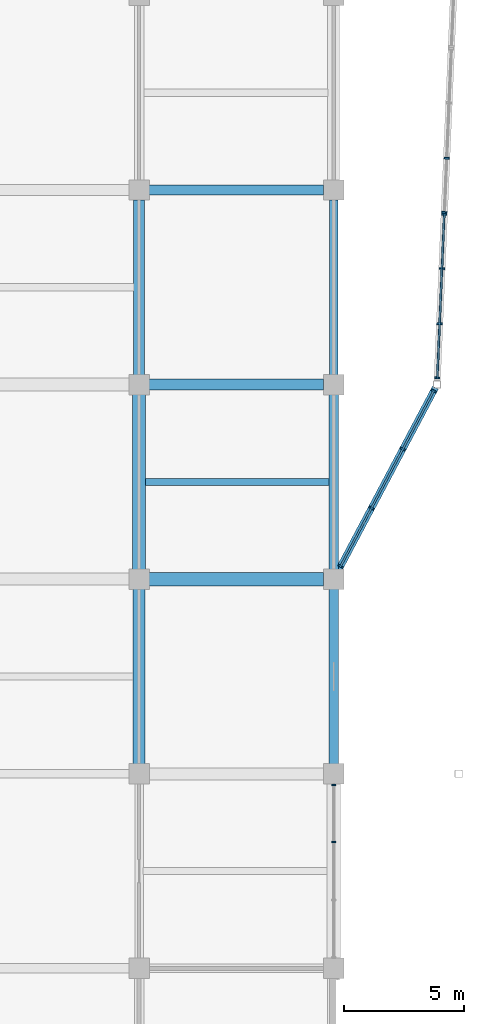
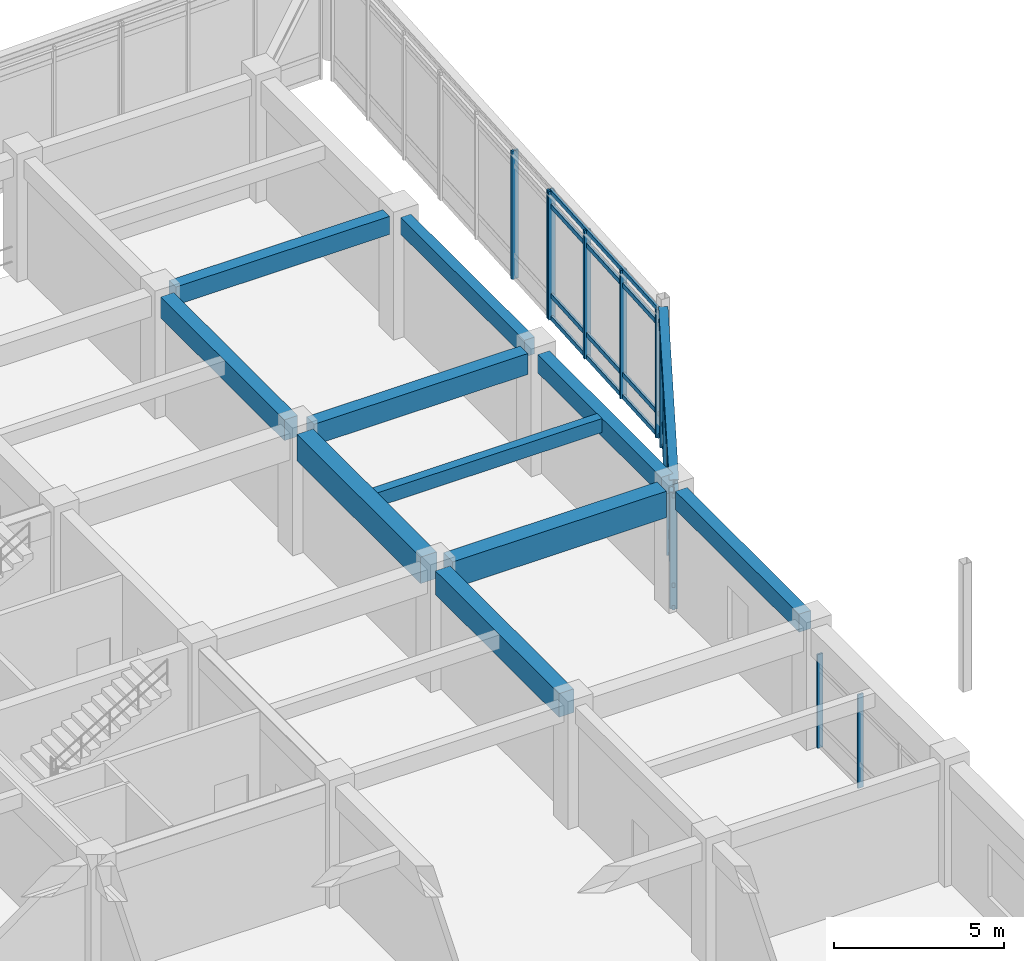
# One storey, part 41 of 93: 20 members, 11 beams, 4 elements without a shape of their own.
"""IFC4 building model written with IfcOpenShell, lengths in metres."""

from ifc_helpers import new_model, si_unit, direction, frame, origin, origin_2d, place, context, subcontext, project, spatial, rectangle, i_section, extrude, material, layer, layer_set, material_profile, profile_set, type_object, element, aggregate, save


model = new_model("IFC4")

# Units and contexts
model_context = context("Model", 3, precision=1e-05, world=origin(), true_north=direction((0.0, 1.0)))
body_context = subcontext(model_context, "Body", "Model", "MODEL_VIEW")
ifc_project = project(units=[si_unit("LENGTHUNIT", "METRE"), si_unit("AREAUNIT", "SQUARE_METRE"), si_unit("VOLUMEUNIT", "CUBIC_METRE"), si_unit("PLANEANGLEUNIT", "RADIAN"), si_unit("MASSUNIT", "GRAM", prefix="KILO")], contexts=[model_context])

# Site, building, storey
site_placement = place(None, origin())
site = spatial("IfcSite", under=ifc_project, at=site_placement, CompositionType="ELEMENT")
building_placement = place(site_placement, origin())
building = spatial("IfcBuilding", under=site, at=building_placement, Name="Vaudrelin Polytechnic", CompositionType="ELEMENT")
storey_placement = place(building_placement, frame((0.0, 0.0, 5.10009765625)))
storey = spatial("IfcBuildingStorey", under=building, at=storey_placement, Name="L01", CompositionType="ELEMENT", Elevation=5.10009765625)

# Beams
ifc_material_1 = material(Name="Concrete 40 MPa", Category="concrete")
ifc_material_profile_1 = material_profile(ifc_material_1, rectangle(XDim=0.35009765625, YDim=0.60009765625, at=origin_2d()), Name="RC350x600")
ifc_profile_set_1 = profile_set([ifc_material_profile_1], Name="Concrete 40 MPa")
beam_type_1 = type_object("IfcBeamType", Name="BM-BM-RC3560", PredefinedType="BEAM", material=ifc_profile_set_1)
beam_1_placement = place(storey_placement, frame((170.10009765625, 105.7099609375, 4.010009765625), z_axis=(0.0, 1.0, 0.0), x_axis=(-1.0, 0.0, 0.0)))
element("IfcBeam", 1, at=beam_1_placement, inside=storey, type_object=beam_type_1, Name="L01 Y-beam 22-14", PredefinedType="BEAM", context=body_context, shape_type="SweptSolid", body=[
    extrude(rectangle(XDim=0.35009765625, YDim=0.60009765625, at=origin_2d()), origin(), (0.0, 0.0, 1.0), 7.280029296875),
])
ifc_material_profile_2 = material_profile(ifc_material_1, rectangle(XDim=0.39990234375, YDim=0.64990234375, at=origin_2d()), Name="RC400x650")
ifc_profile_set_2 = profile_set([ifc_material_profile_2], Name="Concrete 40 MPa")
beam_type_2 = type_object("IfcBeamType", Name="BM-BM-RC4065", PredefinedType="BEAM", material=ifc_profile_set_2)
beam_2_placement = place(storey_placement, frame((170.10009765625, 97.610107421875, 3.98486328125), z_axis=(0.0, 1.0, 0.0), x_axis=(-1.0, 0.0, 0.0)))
element("IfcBeam", 2, at=beam_2_placement, inside=storey, type_object=beam_type_2, Name="L01 Y-beam 22-13", PredefinedType="BEAM", context=body_context, shape_type="SweptSolid", body=[
    extrude(rectangle(XDim=0.39990234375, YDim=0.64990234375, at=origin_2d()), origin(), (0.0, 0.0, 1.0), 7.27978515625),
])
beam_3_placement = place(storey_placement, frame((162.4208984375, 113.39990234375, 3.98486328125), z_axis=(1.0, 0.0, 0.0), x_axis=(0.0, 1.0, 0.0)))
element("IfcBeam", 3, at=beam_3_placement, inside=storey, type_object=beam_type_2, Name="L01 X-beam 21-15", PredefinedType="BEAM", context=body_context, shape_type="SweptSolid", body=[
    extrude(rectangle(XDim=0.39990234375, YDim=0.64990234375, at=origin_2d()), origin(), (0.0, 0.0, 1.0), 7.258056640625),
])
ifc_material_profile_3 = material_profile(ifc_material_1, rectangle(XDim=0.449951171875, YDim=0.75, at=origin_2d()), Name="RC450x750")
ifc_profile_set_3 = profile_set([ifc_material_profile_3], Name="Concrete 40 MPa")
beam_type_3 = type_object("IfcBeamType", Name="BM-BM-RC4575", PredefinedType="BEAM", material=ifc_profile_set_3)
beam_4_placement = place(storey_placement, frame((162.0, 105.7099609375, 3.934814453125), z_axis=(0.0, 1.0, 0.0), x_axis=(-1.0, 0.0, 0.0)))
element("IfcBeam", 4, at=beam_4_placement, inside=storey, type_object=beam_type_3, Name="L01 Y-beam 21-14", PredefinedType="BEAM", context=body_context, shape_type="SweptSolid", body=[
    extrude(rectangle(XDim=0.449951171875, YDim=0.75, at=origin_2d()), origin(), (0.0, 0.0, 1.0), 7.280029296875),
])
beam_5_placement = place(storey_placement, frame((162.4208984375, 105.300048828125, 3.934814453125), z_axis=(1.0, 0.0, 0.0), x_axis=(0.0, 1.0, 0.0)))
element("IfcBeam", 5, at=beam_5_placement, inside=storey, type_object=beam_type_3, Name="L01 X-beam 21-14", PredefinedType="BEAM", context=body_context, shape_type="SweptSolid", body=[
    extrude(rectangle(XDim=0.449951171875, YDim=0.75, at=origin_2d()), origin(), (0.0, 0.0, 1.0), 7.258056640625),
])
ifc_material_profile_4 = material_profile(ifc_material_1, rectangle(XDim=0.5, YDim=0.85009765625, at=origin_2d()), Name="RC500x850")
ifc_profile_set_4 = profile_set([ifc_material_profile_4], Name="Concrete 40 MPa")
beam_type_4 = type_object("IfcBeamType", Name="BM-BM-RC5085", PredefinedType="BEAM", material=ifc_profile_set_4)
beam_6_placement = place(storey_placement, frame((162.0, 89.510009765625, 3.885009765625), z_axis=(0.0, 1.0, 0.0), x_axis=(-1.0, 0.0, 0.0)))
element("IfcBeam", 6, at=beam_6_placement, inside=storey, type_object=beam_type_4, Name="L01 Y-beam 21-12", PredefinedType="BEAM", context=body_context, shape_type="SweptSolid", body=[
    extrude(rectangle(XDim=0.5, YDim=0.85009765625, at=origin_2d()), origin(), (0.0, 0.0, 1.0), 7.280029296875),
])
ifc_material_2 = material(Name="Concrete 50 MPa", Category="concrete")
ifc_material_profile_5 = material_profile(ifc_material_2, rectangle(XDim=0.550048828125, YDim=0.949951171875, at=origin_2d()), Name="RC550x950")
ifc_profile_set_5 = profile_set([ifc_material_profile_5], Name="Concrete 50 MPa")
beam_type_5 = type_object("IfcBeamType", Name="BM-BM-RC5595", PredefinedType="BEAM", material=ifc_profile_set_5)
beam_7_placement = place(storey_placement, frame((162.0, 97.610107421875, 3.8349609375), z_axis=(0.0, 1.0, 0.0), x_axis=(-1.0, 0.0, 0.0)))
element("IfcBeam", 7, at=beam_7_placement, inside=storey, type_object=beam_type_5, Name="L01 Y-beam 21-13", PredefinedType="BEAM", context=body_context, shape_type="SweptSolid", body=[
    extrude(rectangle(XDim=0.550048828125, YDim=0.949951171875, at=origin_2d()), origin(), (0.0, 0.0, 1.0), 7.27978515625),
])
beam_8_placement = place(storey_placement, frame((162.4208984375, 97.199951171875, 3.8349609375), z_axis=(1.0, 0.0, 0.0), x_axis=(0.0, 1.0, 0.0)))
element("IfcBeam", 8, at=beam_8_placement, inside=storey, type_object=beam_type_5, Name="L01 X-beam 21-13", PredefinedType="BEAM", context=body_context, shape_type="SweptSolid", body=[
    extrude(rectangle(XDim=0.550048828125, YDim=0.949951171875, at=origin_2d()), origin(), (0.0, 0.0, 1.0), 7.258056640625),
])
ifc_material_3 = material(Name="Steel CSA G40.21 350W", Category="steel")
ifc_material_profile_6 = material_profile(ifc_material_3, i_section(OverallWidth=0.280029296875, OverallDepth=0.462890625, WebThickness=0.0107421875, FlangeThickness=0.017333984375, FilletRadius=0.01806640625, at=origin_2d()), Name="W460x113")
ifc_profile_set_6 = profile_set([ifc_material_profile_6], Name="Steel CSA G40.21 350W")
beam_type_6 = type_object("IfcBeamType", Name="BM-BM-W460H", PredefinedType="BEAM", material=ifc_profile_set_6)
beam_9_placement = place(storey_placement, frame((174.33447265625, 105.17626953125, 4.078369140625), z_axis=(-0.468916952234, -0.883242261165, 0.0), x_axis=(0.883242261165, -0.468916952234, 0.0)))
element("IfcBeam", 9, at=beam_9_placement, inside=storey, type_object=beam_type_6, Name="Sculptural edge beam L01 NE_BM_4", PredefinedType="BEAM", context=body_context, shape_type="SweptSolid", body=[
    extrude(i_section(OverallWidth=0.280029296875, OverallDepth=0.462890625, WebThickness=0.0107421875, FlangeThickness=0.017333984375, FilletRadius=0.01806640625, at=origin_2d()), origin(), (0.0, 0.0, 1.0), 8.890625),
])
ifc_material_profile_7 = material_profile(ifc_material_1, rectangle(XDim=0.300048828125, YDim=0.5, at=origin_2d()), Name="RC300x500")
ifc_profile_set_7 = profile_set([ifc_material_profile_7], Name="Concrete 40 MPa")
beam_type_7 = type_object("IfcBeamType", Name="BM-JS-RC3050", PredefinedType="JOIST", material=ifc_profile_set_7)
beam_10_placement = place(storey_placement, frame((162.27099609375, 101.25, 4.059814453125), z_axis=(1.0, 0.0, 0.0), x_axis=(0.0, 1.0, 0.0)))
element("IfcBeam", 10, at=beam_10_placement, inside=storey, type_object=beam_type_7, Name="L01 floor joist 21-13", PredefinedType="JOIST", context=body_context, shape_type="SweptSolid", body=[
    extrude(rectangle(XDim=0.300048828125, YDim=0.5, at=origin_2d()), origin(), (0.0, 0.0, 1.0), 7.633056640625),
])
ifc_material_profile_8 = material_profile(ifc_material_1, rectangle(XDim=0.39990234375, YDim=0.64990234375, at=origin_2d()), Name="RC400x650")
ifc_profile_set_8 = profile_set([ifc_material_profile_8], Name="Concrete 40 MPa")
beam_type_8 = type_object("IfcBeamType", Name="BM-SP-RC4065", PredefinedType="SPANDREL", material=ifc_profile_set_8)
beam_11_placement = place(storey_placement, frame((170.10009765625, 89.510009765625, 3.98486328125), z_axis=(0.0, 1.0, 0.0), x_axis=(-1.0, 0.0, 0.0)))
element("IfcBeam", 11, at=beam_11_placement, inside=storey, type_object=beam_type_8, Name="L01 Y-beam 22-12", PredefinedType="SPANDREL", context=body_context, shape_type="SweptSolid", body=[
    extrude(rectangle(XDim=0.39990234375, YDim=0.64990234375, at=origin_2d()), origin(), (0.0, 0.0, 1.0), 7.280029296875),
])

# Curtain wall, members
ifc_material_4 = material(Name="Thermally broken anodised aluminium AA 6063-T6 and low-e triple glazing", Category="aluminium")
ifc_layer = layer(ifc_material_4, 0.199951171875)
ifc_layer_set = layer_set([ifc_layer], Name="Thermally broken anodised aluminium AA 6063-T6 and low-e triple glazing")
curtain_wall_type = type_object("IfcCurtainWallType", Name="CW-CW-LAB", PredefinedType="USERDEFINED", material=ifc_layer_set)
curtain_wall_1_placement = place(storey_placement, origin())
curtain_wall_1 = element("IfcCurtainWall", 12, at=curtain_wall_1_placement, inside=storey, type_object=curtain_wall_type, Name="Curtain wall L01 E_V4_08", ObjectType="CURTAIN WALL", PredefinedType="USERDEFINED")
ifc_material_5 = material(Name="Anodised aluminium AA 6063-T6", Category="aluminium")
ifc_material_profile_9 = material_profile(ifc_material_5, rectangle(XDim=0.06494140625, YDim=0.179931640625, at=origin_2d()), Name="CWM-65x180")
ifc_profile_set_9 = profile_set([ifc_material_profile_9], Name="Anodised aluminium AA 6063-T6")
member_type_1 = type_object("IfcMemberType", Name="MEM-CWM-180", PredefinedType="MULLION", material=ifc_profile_set_9)
member_1_placement = place(storey_placement, frame((170.10009765625, 86.259033203125, 0.0), z_axis=(0.0, 0.0, 1.0), x_axis=(0.0, 1.0, 0.0)))
member_1 = element("IfcMember", 13, at=member_1_placement, type_object=member_type_1, Name="E_V4_08 mullion 3", PredefinedType="MULLION", context=body_context, shape_type="SweptSolid", body=[
    extrude(rectangle(XDim=0.06494140625, YDim=0.179931640625, at=origin_2d()), origin(), (0.0, 0.0, 1.0), 3.36181640625),
])
member_2_placement = place(storey_placement, frame((170.10009765625, 88.636962890625, 0.0), z_axis=(0.0, 0.0, 1.0), x_axis=(0.0, 1.0, 0.0)))
member_2 = element("IfcMember", 14, at=member_2_placement, type_object=member_type_1, Name="E_V4_08 mullion 4", PredefinedType="MULLION", context=body_context, shape_type="SweptSolid", body=[
    extrude(rectangle(XDim=0.06494140625, YDim=0.179931640625, at=origin_2d()), origin(), (0.0, 0.0, 1.0), 3.36181640625),
])
aggregate(curtain_wall_1, [member_1, member_2])

curtain_wall_2_placement = place(storey_placement, origin())
curtain_wall_2 = element("IfcCurtainWall", 15, at=curtain_wall_2_placement, inside=storey, type_object=curtain_wall_type, Name="Curtain wall L01 NEP_3_1", ObjectType="CURTAIN WALL", PredefinedType="USERDEFINED")
ifc_material_profile_10 = material_profile(ifc_material_5, rectangle(XDim=0.074951171875, YDim=0.219970703125, at=origin_2d()), Name="CWM-75x220")
ifc_profile_set_10 = profile_set([ifc_material_profile_10], Name="Anodised aluminium AA 6063-T6")
member_type_2 = type_object("IfcMemberType", Name="MEM-CWM-220", PredefinedType="MULLION", material=ifc_profile_set_10)
member_3_placement = place(storey_placement, frame((174.80029296875, 114.72607421875, -0.630126953125), z_axis=(0.0, 0.0, 1.0), x_axis=(-0.042405411318, -0.999100485983, 0.0)))
member_3 = element("IfcMember", 16, at=member_3_placement, type_object=member_type_2, Name="NEP_3_1 mullion 3", PredefinedType="MULLION", context=body_context, shape_type="SweptSolid", body=[
    extrude(rectangle(XDim=0.074951171875, YDim=0.219970703125, at=origin_2d()), origin(), (0.0, 0.0, 1.0), 4.610107421875),
])
member_4_placement = place(storey_placement, frame((174.704345703125, 112.468994140625, -0.630126953125), z_axis=(0.0, 0.0, 1.0), x_axis=(-0.042405411318, -0.999100485983, 0.0)))
member_4 = element("IfcMember", 17, at=member_4_placement, type_object=member_type_2, Name="NEP_3_1 mullion 4", PredefinedType="MULLION", context=body_context, shape_type="SweptSolid", body=[
    extrude(rectangle(XDim=0.074951171875, YDim=0.219970703125, at=origin_2d()), origin(), (0.0, 0.0, 1.0), 4.610107421875),
])
aggregate(curtain_wall_2, [member_3, member_4])

curtain_wall_3_placement = place(storey_placement, origin())
curtain_wall_3 = element("IfcCurtainWall", 18, at=curtain_wall_3_placement, inside=storey, type_object=curtain_wall_type, Name="Curtain wall L01 NEP_3_2", ObjectType="CURTAIN WALL", PredefinedType="USERDEFINED")
member_5_placement = place(storey_placement, frame((174.700927734375, 112.388916015625, -0.630126953125), z_axis=(0.0, 0.0, 1.0), x_axis=(-0.042419882824, -0.999099871655, 0.0)))
member_5 = element("IfcMember", 19, at=member_5_placement, type_object=member_type_2, Name="NEP_3_2 mullion 1", PredefinedType="MULLION", context=body_context, shape_type="SweptSolid", body=[
    extrude(rectangle(XDim=0.074951171875, YDim=0.219970703125, at=origin_2d()), origin(), (0.0, 0.0, 1.0), 4.610107421875),
])
member_6_placement = place(storey_placement, frame((174.605224609375, 110.131591796875, -0.630126953125), z_axis=(0.0, 0.0, 1.0), x_axis=(-0.042419882824, -0.999099871655, 0.0)))
member_6 = element("IfcMember", 20, at=member_6_placement, type_object=member_type_2, Name="NEP_3_2 mullion 2", PredefinedType="MULLION", context=body_context, shape_type="SweptSolid", body=[
    extrude(rectangle(XDim=0.074951171875, YDim=0.219970703125, at=origin_2d()), origin(), (0.0, 0.0, 1.0), 4.610107421875),
])
member_7_placement = place(storey_placement, frame((174.507568359375, 107.834716796875, -0.630126953125), z_axis=(0.0, 0.0, 1.0), x_axis=(-0.042419882824, -0.999099871655, 0.0)))
member_7 = element("IfcMember", 21, at=member_7_placement, type_object=member_type_2, Name="NEP_3_2 mullion 3", PredefinedType="MULLION", context=body_context, shape_type="SweptSolid", body=[
    extrude(rectangle(XDim=0.074951171875, YDim=0.219970703125, at=origin_2d()), origin(), (0.0, 0.0, 1.0), 4.610107421875),
])
member_8_placement = place(storey_placement, frame((174.411865234375, 105.577392578125, -0.630126953125), z_axis=(0.0, 0.0, 1.0), x_axis=(-0.042419882824, -0.999099871655, 0.0)))
member_8 = element("IfcMember", 22, at=member_8_placement, type_object=member_type_2, Name="NEP_3_2 mullion 4", PredefinedType="MULLION", context=body_context, shape_type="SweptSolid", body=[
    extrude(rectangle(XDim=0.074951171875, YDim=0.219970703125, at=origin_2d()), origin(), (0.0, 0.0, 1.0), 4.610107421875),
])

curtain_wall_4_placement = place(storey_placement, origin())
curtain_wall_4 = element("IfcCurtainWall", 23, at=curtain_wall_4_placement, inside=storey, type_object=curtain_wall_type, Name="Curtain wall L01 NEP_4_0", ObjectType="CURTAIN WALL", PredefinedType="USERDEFINED")
member_9_placement = place(storey_placement, frame((174.260498046875, 105.037109375, -0.630126953125), z_axis=(0.0, 0.0, 1.0), x_axis=(-0.468890369298, -0.883256373642, 0.0)))
member_9 = element("IfcMember", 24, at=member_9_placement, type_object=member_type_2, Name="NEP_4_0 mullion 1", PredefinedType="MULLION", context=body_context, shape_type="SweptSolid", body=[
    extrude(rectangle(XDim=0.074951171875, YDim=0.219970703125, at=origin_2d()), origin(), (0.0, 0.0, 1.0), 4.610107421875),
])
member_10_placement = place(storey_placement, frame((172.974609375, 102.614990234375, -0.630126953125), z_axis=(0.0, 0.0, 1.0), x_axis=(-0.468890369298, -0.883256373642, 0.0)))
member_10 = element("IfcMember", 25, at=member_10_placement, type_object=member_type_2, Name="NEP_4_0 mullion 2", PredefinedType="MULLION", context=body_context, shape_type="SweptSolid", body=[
    extrude(rectangle(XDim=0.074951171875, YDim=0.219970703125, at=origin_2d()), origin(), (0.0, 0.0, 1.0), 4.610107421875),
])
member_11_placement = place(storey_placement, frame((171.670166015625, 100.157470703125, -0.630126953125), z_axis=(0.0, 0.0, 1.0), x_axis=(-0.468890369298, -0.883256373642, 0.0)))
member_11 = element("IfcMember", 26, at=member_11_placement, type_object=member_type_2, Name="NEP_4_0 mullion 3", PredefinedType="MULLION", context=body_context, shape_type="SweptSolid", body=[
    extrude(rectangle(XDim=0.074951171875, YDim=0.219970703125, at=origin_2d()), origin(), (0.0, 0.0, 1.0), 4.610107421875),
])
member_12_placement = place(storey_placement, frame((170.38427734375, 97.7353515625, -0.630126953125), z_axis=(0.0, 0.0, 1.0), x_axis=(-0.468890369298, -0.883256373642, 0.0)))
member_12 = element("IfcMember", 27, at=member_12_placement, type_object=member_type_2, Name="NEP_4_0 mullion 4", PredefinedType="MULLION", context=body_context, shape_type="SweptSolid", body=[
    extrude(rectangle(XDim=0.074951171875, YDim=0.219970703125, at=origin_2d()), origin(), (0.0, 0.0, 1.0), 4.610107421875),
])

# Member
ifc_material_profile_11 = material_profile(ifc_material_5, rectangle(XDim=0.074951171875, YDim=0.1650390625, at=origin_2d()), Name="CWT-75x165")
ifc_profile_set_11 = profile_set([ifc_material_profile_11], Name="Anodised aluminium AA 6063-T6")
member_type_3 = type_object("IfcMemberType", Name="MEM-CWT-165", PredefinedType="USERDEFINED", material=ifc_profile_set_11)
member_13_placement = place(storey_placement, frame((174.70263671875, 112.428955078125, -0.580078125), z_axis=(-0.04240196109, -0.999100632417, 0.0), x_axis=(0.999100632417, -0.04240196109, 0.0)))
member_13 = element("IfcMember", 28, at=member_13_placement, type_object=member_type_3, Name="NEP_3_2 transom 1", ObjectType="TRANSOM", PredefinedType="USERDEFINED", context=body_context, shape_type="SweptSolid", body=[
    extrude(rectangle(XDim=0.074951171875, YDim=0.1650390625, at=origin_2d()), origin(), (0.0, 0.0, 1.0), 6.897705078125),
])

member_14_placement = place(storey_placement, frame((174.70263671875, 112.428955078125, 0.219970703125), z_axis=(-0.04240196109, -0.999100632417, 0.0), x_axis=(0.999100632417, -0.04240196109, 0.0)))
member_14 = element("IfcMember", 29, at=member_14_placement, type_object=member_type_3, Name="NEP_3_2 transom 2", ObjectType="TRANSOM", PredefinedType="USERDEFINED", context=body_context, shape_type="SweptSolid", body=[
    extrude(rectangle(XDim=0.074951171875, YDim=0.1650390625, at=origin_2d()), origin(), (0.0, 0.0, 1.0), 6.897705078125),
])

member_15_placement = place(storey_placement, frame((174.70263671875, 112.428955078125, 3.429931640625), z_axis=(-0.04240196109, -0.999100632417, 0.0), x_axis=(0.999100632417, -0.04240196109, 0.0)))
member_15 = element("IfcMember", 30, at=member_15_placement, type_object=member_type_3, Name="NEP_3_2 transom 3", ObjectType="TRANSOM", PredefinedType="USERDEFINED", context=body_context, shape_type="SweptSolid", body=[
    extrude(rectangle(XDim=0.074951171875, YDim=0.1650390625, at=origin_2d()), origin(), (0.0, 0.0, 1.0), 6.897705078125),
])

member_16_placement = place(storey_placement, frame((174.70263671875, 112.428955078125, 3.929931640625), z_axis=(-0.04240196109, -0.999100632417, 0.0), x_axis=(0.999100632417, -0.04240196109, 0.0)))
member_16 = element("IfcMember", 31, at=member_16_placement, type_object=member_type_3, Name="NEP_3_2 transom 4", ObjectType="TRANSOM", PredefinedType="USERDEFINED", context=body_context, shape_type="SweptSolid", body=[
    extrude(rectangle(XDim=0.074951171875, YDim=0.1650390625, at=origin_2d()), origin(), (0.0, 0.0, 1.0), 6.897705078125),
])

aggregate(curtain_wall_3, [member_5, member_6, member_7, member_8, member_13, member_14, member_15, member_16])

member_17_placement = place(storey_placement, frame((174.279296875, 105.072509765625, -0.580078125), z_axis=(-0.468900714707, -0.883250881543, 0.0), x_axis=(0.883250881543, -0.468900714707, 0.0)))
member_17 = element("IfcMember", 32, at=member_17_placement, type_object=member_type_3, Name="NEP_4_0 transom 1", ObjectType="TRANSOM", PredefinedType="USERDEFINED", context=body_context, shape_type="SweptSolid", body=[
    extrude(rectangle(XDim=0.074951171875, YDim=0.1650390625, at=origin_2d()), origin(), (0.0, 0.0, 1.0), 8.3466796875),
])

member_18_placement = place(storey_placement, frame((174.279296875, 105.072509765625, 0.219970703125), z_axis=(-0.468900714707, -0.883250881543, 0.0), x_axis=(0.883250881543, -0.468900714707, 0.0)))
member_18 = element("IfcMember", 33, at=member_18_placement, type_object=member_type_3, Name="NEP_4_0 transom 2", ObjectType="TRANSOM", PredefinedType="USERDEFINED", context=body_context, shape_type="SweptSolid", body=[
    extrude(rectangle(XDim=0.074951171875, YDim=0.1650390625, at=origin_2d()), origin(), (0.0, 0.0, 1.0), 8.3466796875),
])

member_19_placement = place(storey_placement, frame((174.279296875, 105.072509765625, 3.429931640625), z_axis=(-0.468900714707, -0.883250881543, 0.0), x_axis=(0.883250881543, -0.468900714707, 0.0)))
member_19 = element("IfcMember", 34, at=member_19_placement, type_object=member_type_3, Name="NEP_4_0 transom 3", ObjectType="TRANSOM", PredefinedType="USERDEFINED", context=body_context, shape_type="SweptSolid", body=[
    extrude(rectangle(XDim=0.074951171875, YDim=0.1650390625, at=origin_2d()), origin(), (0.0, 0.0, 1.0), 8.3466796875),
])

member_20_placement = place(storey_placement, frame((174.279296875, 105.072509765625, 3.929931640625), z_axis=(-0.468900714707, -0.883250881543, 0.0), x_axis=(0.883250881543, -0.468900714707, 0.0)))
member_20 = element("IfcMember", 35, at=member_20_placement, type_object=member_type_3, Name="NEP_4_0 transom 4", ObjectType="TRANSOM", PredefinedType="USERDEFINED", context=body_context, shape_type="SweptSolid", body=[
    extrude(rectangle(XDim=0.074951171875, YDim=0.1650390625, at=origin_2d()), origin(), (0.0, 0.0, 1.0), 8.3466796875),
])

aggregate(curtain_wall_4, [member_9, member_10, member_11, member_12, member_17, member_18, member_19, member_20])

save(model, "model.ifc")
